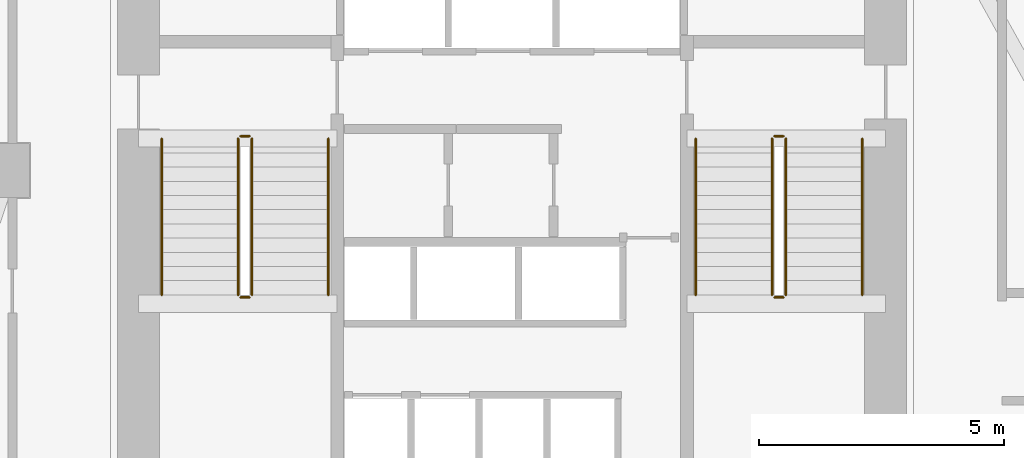
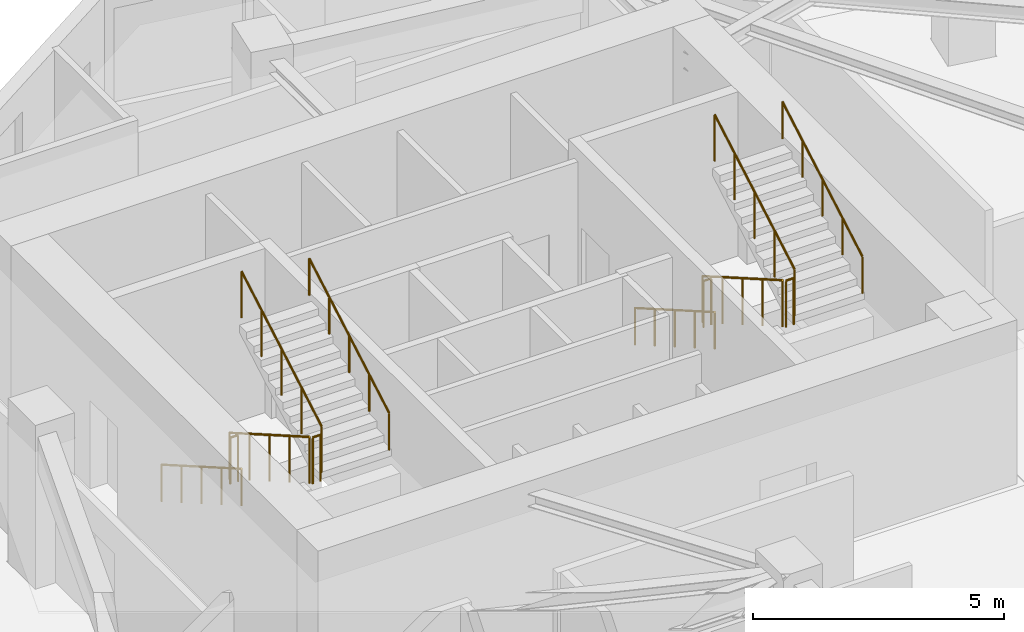
# One storey, part 11 of 11: 12 railings.
"""IFC4 building model written with IfcOpenShell, lengths in metres."""

import ifcopenshell
import ifcopenshell.guid

model = None  # the IFC model being written
_history = None  # IfcOwnerHistory: only IFC2X3 demands one
_inside = {}  # id of a spatial element -> (the spatial element, [elements in it])
_under = {}  # id of a project, library or spatial element -> (it, [spatial elements below it])
_declared = {}  # id of a project -> (the project, [libraries it declares])
_typed = {}  # id of a type object -> (the type object, [elements of that type])
_made_of = {}  # id of a material, layer set ... -> (it, [elements and type objects made of it])


def new_model(schema):
    """Start an empty IFC model of exactly this schema.

    Asked for "IFC4X3", IfcOpenShell would pick the latest addendum, in which some entities
    have other attributes; the version numbers below select the first issue.
    IFC2X3 requires an IfcOwnerHistory on every rooted entity: one is made here for all.
    """
    global model, _history
    if schema == "IFC4X3":
        model = ifcopenshell.file(schema_version=(4, 3, 0, 0))
    else:
        model = ifcopenshell.file(schema=schema)
    _inside.clear()
    _under.clear()
    _declared.clear()
    _typed.clear()
    _made_of.clear()
    _history = None
    if model.schema == "IFC2X3":
        org = make("IfcOrganization", Name="unknown")
        user = make(
            "IfcPersonAndOrganization",
            ThePerson=make("IfcPerson", FamilyName="unknown"),
            TheOrganization=org,
        )
        app = make(
            "IfcApplication",
            ApplicationDeveloper=org,
            Version="unknown",
            ApplicationFullName="unknown",
            ApplicationIdentifier="unknown",
        )
        _history = make(
            "IfcOwnerHistory",
            OwningUser=user,
            OwningApplication=app,
            ChangeAction="ADDED",
            CreationDate=0,
        )
    return model


def make(cls, **values):
    """One entity of the class cls with the attributes given. An attribute that is None is left unset."""
    return model.create_entity(
        cls, **{name: value for name, value in values.items() if value is not None}
    )


def rooted(cls, **values):
    """An entity with a GlobalId (a new one), such as an element, a storey or a relation."""
    return make(cls, GlobalId=ifcopenshell.guid.new(), OwnerHistory=_history, **values)


def si_unit(unit_type, name, prefix=None):
    """IfcSIUnit, for example si_unit("LENGTHUNIT", "METRE", prefix="MILLI")."""
    return make("IfcSIUnit", UnitType=unit_type, Prefix=prefix, Name=name)


def assignment(units):
    """IfcUnitAssignment: the units of a project."""
    return None if units is None else make("IfcUnitAssignment", Units=units)


def point(xyz):
    """IfcCartesianPoint."""
    return None if xyz is None else make("IfcCartesianPoint", Coordinates=xyz)


def direction(xyz):
    """IfcDirection."""
    return None if xyz is None else make("IfcDirection", DirectionRatios=xyz)


def frame(location, z_axis=None, x_axis=None):
    """IfcAxis2Placement3D, a coordinate frame: its origin and axes. An axis left out is left unset."""
    return make(
        "IfcAxis2Placement3D",
        Location=point(location),
        Axis=direction(z_axis),
        RefDirection=direction(x_axis),
    )


def frame_2d(location, x_axis=None):
    """IfcAxis2Placement2D, a coordinate frame in the plane: its origin and x axis."""
    return make(
        "IfcAxis2Placement2D", Location=point(location), RefDirection=direction(x_axis)
    )


def origin():
    """The frame at (0, 0, 0) with its axes left unset."""
    return frame((0.0, 0.0, 0.0))


def origin_2d():
    """The frame at (0, 0) in the plane with its x axis left unset."""
    return frame_2d((0.0, 0.0))


def place(relative_to, where):
    """IfcLocalPlacement: puts the frame where relative to a parent placement (None: the world)."""
    return make(
        "IfcLocalPlacement", PlacementRelTo=relative_to, RelativePlacement=where
    )


def context(
    kind, dimensions, precision=None, world=None, true_north=None, identifier=None
):
    """IfcGeometricRepresentationContext, for example the 3D "Model" context."""
    return make(
        "IfcGeometricRepresentationContext",
        ContextIdentifier=identifier,
        ContextType=kind,
        CoordinateSpaceDimension=dimensions,
        Precision=precision,
        WorldCoordinateSystem=world,
        TrueNorth=true_north,
    )


def subcontext(parent, identifier, kind, view, scale=None):
    """IfcGeometricRepresentationSubContext, for example "Body" below "Model"."""
    return make(
        "IfcGeometricRepresentationSubContext",
        ContextIdentifier=identifier,
        ContextType=kind,
        ParentContext=parent,
        TargetScale=scale,
        TargetView=view,
    )


def project(units=None, contexts=None):
    """IfcProject with its units and contexts."""
    return rooted(
        "IfcProject",
        Name="project",
        RepresentationContexts=contexts,
        UnitsInContext=assignment(units),
    )


def spatial(cls, under=None, at=None, **own):
    """A site, building, storey or space (cls), placed at a placement, below another one or the project."""
    s = rooted(cls, ObjectPlacement=at, **own)
    if under is not None:
        _under.setdefault(under.id(), (under, []))[1].append(s)
    return s


def profile(cls, at=None, kind="AREA", **sizes):
    """A parametric profile (cls). Its sizes go by their IFC names, for example OverallWidth=200.0."""
    return make(cls, ProfileType=kind, Position=at, **sizes)


def circle(**sizes):
    """IfcCircleProfileDef."""
    return profile("IfcCircleProfileDef", **sizes)


def extrude(swept, where, along, depth):
    """IfcExtrudedAreaSolid: the profile swept, set in the frame where, extruded along a direction by depth."""
    return make(
        "IfcExtrudedAreaSolid",
        SweptArea=swept,
        Position=where,
        ExtrudedDirection=direction(along),
        Depth=depth,
    )


def shape(context_of_items, identifier, shape_type, items):
    """IfcShapeRepresentation: the items that make up one representation, for example the "Body"."""
    return make(
        "IfcShapeRepresentation",
        ContextOfItems=context_of_items,
        RepresentationIdentifier=identifier,
        RepresentationType=shape_type,
        Items=items,
    )


def material(Name=None, Category=None):
    """IfcMaterial."""
    return make("IfcMaterial", Name=Name, Category=Category)


def made_of(thing, what):
    """Note that an element or type object is made of a material, layer set ...; save() writes the relation."""
    if what is not None:
        _made_of.setdefault(what.id(), (what, []))[1].append(thing)
    return thing


def type_object(cls, material=None, **own):
    """A type object (cls), such as IfcWallType, which elements share."""
    return made_of(rooted(cls, **own), material)


def element(
    cls,
    number,
    at=None,
    inside=None,
    cuts=None,
    type_object=None,
    material=None,
    context=None,
    identifier="Body",
    shape_type=None,
    held_by="IfcProductDefinitionShape",
    body=None,
    shapes=None,
    **own,
):
    """One element of the class cls, such as IfcWall. Its Tag is "e" and its number.

    at: its placement. inside: the storey or other place that contains it. cuts: it is an
    opening in that element (IfcRelVoidsElement). A single representation is given by context,
    identifier, shape_type and body (its items); several are given by shapes. held_by: the class
    of the entity that holds the representations. save() writes the other relations.
    """
    e = rooted(cls, Tag="e%d" % number, ObjectPlacement=at, **own)
    if body is not None:
        shapes = [shape(context, identifier, shape_type, body)]
    if shapes is not None:
        e.Representation = make(held_by, Representations=shapes)
    if inside is not None:
        _inside.setdefault(inside.id(), (inside, []))[1].append(e)
    if cuts is not None:
        rooted(
            "IfcRelVoidsElement", RelatingBuildingElement=cuts, RelatedOpeningElement=e
        )
    if type_object is not None:
        _typed.setdefault(type_object.id(), (type_object, []))[1].append(e)
    return made_of(e, material)


def aggregate(whole, parts):
    """IfcRelAggregates: a whole, such as a stair, and the parts it consists of."""
    return rooted("IfcRelAggregates", RelatingObject=whole, RelatedObjects=parts)


def save(model, path):
    """Write the relations noted so far, then the file.

    IfcRelAggregates (storeys below a building ...), IfcRelContainedInSpatialStructure (elements
    in a storey), IfcRelDefinesByType, IfcRelAssociatesMaterial and IfcRelDeclares: one each for
    every whole, place, type object, material and project.
    """
    for whole, parts in _under.values():
        aggregate(whole, parts)
    for where, things in _inside.values():
        rooted(
            "IfcRelContainedInSpatialStructure",
            RelatedElements=things,
            RelatingStructure=where,
        )
    for kind, things in _typed.values():
        rooted("IfcRelDefinesByType", RelatedObjects=things, RelatingType=kind)
    for what, things in _made_of.values():
        rooted("IfcRelAssociatesMaterial", RelatedObjects=things, RelatingMaterial=what)
    for by, libraries in _declared.values():
        rooted("IfcRelDeclares", RelatingContext=by, RelatedDefinitions=libraries)
    model.write(path)


model = new_model("IFC4")

# Units and contexts
model_context = context("Model", 3, precision=1e-05, world=origin(), true_north=direction((0.0, 1.0)))
body_context = subcontext(model_context, "Body", "Model", "MODEL_VIEW")
ifc_project = project(units=[si_unit("LENGTHUNIT", "METRE"), si_unit("AREAUNIT", "SQUARE_METRE"), si_unit("VOLUMEUNIT", "CUBIC_METRE"), si_unit("PLANEANGLEUNIT", "RADIAN"), si_unit("MASSUNIT", "GRAM", prefix="KILO")], contexts=[model_context])

# Site, building, storey
site_placement = place(None, origin())
site = spatial("IfcSite", under=ifc_project, at=site_placement, CompositionType="ELEMENT")
building_placement = place(site_placement, origin())
building = spatial("IfcBuilding", under=site, at=building_placement, Name="Calvemar Wedge Station Tower", CompositionType="ELEMENT")
storey_placement = place(building_placement, frame((0.0, 0.0, 59.0)))
storey = spatial("IfcBuildingStorey", under=building, at=storey_placement, Name="L14", CompositionType="ELEMENT", Elevation=59.0)

# Railings
ifc_material_1 = material(Name="Stainless steel AISI 316L", Category="steel")
railing_type_1 = type_object("IfcRailingType", Name="RL-HANDRAIL-920", PredefinedType="HANDRAIL", material=ifc_material_1)
railing_1_placement = place(storey_placement, frame((16.64990234375, 41.14990234375, 0.166748046875)))
element("IfcRailing", 1, at=railing_1_placement, inside=storey, type_object=railing_type_1, Name="L14 ST-C1 stair handrail 1", PredefinedType="HANDRAIL", context=body_context, shape_type="SweptSolid", body=[
    extrude(circle(Radius=0.02392578125, at=origin_2d()), frame((0.0, 0.0, 0.89599609375), z_axis=(0.0, -0.867019545617, 0.498274128887), x_axis=(1.0, 0.0, 0.0)), (0.0, 0.0, 1.0), 3.67919921875),
    extrude(circle(Radius=0.02099609375, at=origin_2d()), origin(), (0.0, 0.0, 1.0), 0.871826171875),
    extrude(circle(Radius=0.02099609375, at=origin_2d()), frame((0.0, -0.79736328125, 0.458251953125)), (0.0, 0.0, 1.0), 0.871826171875),
    extrude(circle(Radius=0.02099609375, at=origin_2d()), frame((0.0, -1.594970703125, 0.91650390625)), (0.0, 0.0, 1.0), 0.871826171875),
    extrude(circle(Radius=0.02099609375, at=origin_2d()), frame((0.0, -2.392578125, 1.375)), (0.0, 0.0, 1.0), 0.871826171875),
    extrude(circle(Radius=0.02099609375, at=origin_2d()), frame((0.0, -3.18994140625, 1.833251953125)), (0.0, 0.0, 1.0), 0.871826171875),
])
railing_2_placement = place(storey_placement, frame((20.050048828125, 37.9599609375, 2.166748046875)))
element("IfcRailing", 2, at=railing_2_placement, inside=storey, type_object=railing_type_1, Name="L14 ST-C1 stair handrail 2", PredefinedType="HANDRAIL", context=body_context, shape_type="SweptSolid", body=[
    extrude(circle(Radius=0.02392578125, at=origin_2d()), frame((0.0, 0.0, 0.89599609375), z_axis=(0.0, 0.867019545617, 0.498274128887), x_axis=(-1.0, 0.0, 0.0)), (0.0, 0.0, 1.0), 3.67919921875),
    extrude(circle(Radius=0.02099609375, at=origin_2d()), origin(), (0.0, 0.0, 1.0), 0.871826171875),
    extrude(circle(Radius=0.02099609375, at=origin_2d()), frame((0.0, 0.79736328125, 0.458251953125)), (0.0, 0.0, 1.0), 0.871826171875),
    extrude(circle(Radius=0.02099609375, at=origin_2d()), frame((0.0, 1.594970703125, 0.91650390625)), (0.0, 0.0, 1.0), 0.871826171875),
    extrude(circle(Radius=0.02099609375, at=origin_2d()), frame((0.0, 2.392578125, 1.375)), (0.0, 0.0, 1.0), 0.871826171875),
    extrude(circle(Radius=0.02099609375, at=origin_2d()), frame((0.0, 3.18994140625, 1.833251953125)), (0.0, 0.0, 1.0), 0.871826171875),
])
railing_3_placement = place(storey_placement, frame((27.550048828125, 41.14990234375, 0.166748046875)))
element("IfcRailing", 3, at=railing_3_placement, inside=storey, type_object=railing_type_1, Name="L14 ST-C2 stair handrail 1", PredefinedType="HANDRAIL", context=body_context, shape_type="SweptSolid", body=[
    extrude(circle(Radius=0.02392578125, at=origin_2d()), frame((0.0, 0.0, 0.89599609375), z_axis=(0.0, -0.867019545617, 0.498274128887), x_axis=(1.0, 0.0, 0.0)), (0.0, 0.0, 1.0), 3.67919921875),
    extrude(circle(Radius=0.02099609375, at=origin_2d()), origin(), (0.0, 0.0, 1.0), 0.871826171875),
    extrude(circle(Radius=0.02099609375, at=origin_2d()), frame((0.0, -0.79736328125, 0.458251953125)), (0.0, 0.0, 1.0), 0.871826171875),
    extrude(circle(Radius=0.02099609375, at=origin_2d()), frame((0.0, -1.594970703125, 0.91650390625)), (0.0, 0.0, 1.0), 0.871826171875),
    extrude(circle(Radius=0.02099609375, at=origin_2d()), frame((0.0, -2.392578125, 1.375)), (0.0, 0.0, 1.0), 0.871826171875),
    extrude(circle(Radius=0.02099609375, at=origin_2d()), frame((0.0, -3.18994140625, 1.833251953125)), (0.0, 0.0, 1.0), 0.871826171875),
])
railing_4_placement = place(storey_placement, frame((30.949951171875, 37.9599609375, 2.166748046875)))
element("IfcRailing", 4, at=railing_4_placement, inside=storey, type_object=railing_type_1, Name="L14 ST-C2 stair handrail 2", PredefinedType="HANDRAIL", context=body_context, shape_type="SweptSolid", body=[
    extrude(circle(Radius=0.02392578125, at=origin_2d()), frame((0.0, 0.0, 0.89599609375), z_axis=(0.0, 0.867019545617, 0.498274128887), x_axis=(-1.0, 0.0, 0.0)), (0.0, 0.0, 1.0), 3.67919921875),
    extrude(circle(Radius=0.02099609375, at=origin_2d()), origin(), (0.0, 0.0, 1.0), 0.871826171875),
    extrude(circle(Radius=0.02099609375, at=origin_2d()), frame((0.0, 0.79736328125, 0.458251953125)), (0.0, 0.0, 1.0), 0.871826171875),
    extrude(circle(Radius=0.02099609375, at=origin_2d()), frame((0.0, 1.594970703125, 0.91650390625)), (0.0, 0.0, 1.0), 0.871826171875),
    extrude(circle(Radius=0.02099609375, at=origin_2d()), frame((0.0, 2.392578125, 1.375)), (0.0, 0.0, 1.0), 0.871826171875),
    extrude(circle(Radius=0.02099609375, at=origin_2d()), frame((0.0, 3.18994140625, 1.833251953125)), (0.0, 0.0, 1.0), 0.871826171875),
])
ifc_material_2 = material(Name="Painted steel guardrail ASTM A500 Grade C", Category="steel")
railing_type_2 = type_object("IfcRailingType", Name="RL-STAIR-GUARD-1150", PredefinedType="GUARDRAIL", material=ifc_material_2)
railing_5_placement = place(storey_placement, frame((18.2099609375, 41.14990234375, 0.166748046875)))
element("IfcRailing", 5, at=railing_5_placement, inside=storey, type_object=railing_type_2, Name="L14 ST-C1 stair guard 1", PredefinedType="GUARDRAIL", context=body_context, shape_type="SweptSolid", body=[
    extrude(circle(Radius=0.02392578125, at=origin_2d()), frame((0.0, 0.0, 1.1259765625), z_axis=(0.0, -0.867019545617, 0.498274128887), x_axis=(1.0, 0.0, 0.0)), (0.0, 0.0, 1.0), 3.67919921875),
    extrude(circle(Radius=0.02099609375, at=origin_2d()), origin(), (0.0, 0.0, 1.0), 1.101806640625),
    extrude(circle(Radius=0.02099609375, at=origin_2d()), frame((0.0, -0.79736328125, 0.458251953125)), (0.0, 0.0, 1.0), 1.101806640625),
    extrude(circle(Radius=0.02099609375, at=origin_2d()), frame((0.0, -1.594970703125, 0.91650390625)), (0.0, 0.0, 1.0), 1.101806640625),
    extrude(circle(Radius=0.02099609375, at=origin_2d()), frame((0.0, -2.392578125, 1.375)), (0.0, 0.0, 1.0), 1.101806640625),
    extrude(circle(Radius=0.02099609375, at=origin_2d()), frame((0.0, -3.18994140625, 1.833251953125)), (0.0, 0.0, 1.0), 1.101806640625),
])
railing_6_placement = place(storey_placement, frame((18.260009765625, 37.909912109375, 2.0)))
element("IfcRailing", 6, at=railing_6_placement, inside=storey, type_object=railing_type_2, Name="L14 ST-C1 stair guard 2", PredefinedType="GUARDRAIL", context=body_context, shape_type="SweptSolid", body=[
    extrude(circle(Radius=0.02392578125, at=origin_2d()), frame((0.0, 0.0, 1.1259765625), z_axis=(1.0, 0.0, 0.0), x_axis=(0.0, 1.0, 0.0)), (0.0, 0.0, 1.0), 0.179931640625),
    extrude(circle(Radius=0.02099609375, at=origin_2d()), origin(), (0.0, 0.0, 1.0), 1.101806640625),
    extrude(circle(Radius=0.02099609375, at=origin_2d()), frame((0.179931640625, 0.0, 0.0)), (0.0, 0.0, 1.0), 1.101806640625),
])
railing_7_placement = place(storey_placement, frame((18.489990234375, 37.9599609375, 2.166748046875)))
element("IfcRailing", 7, at=railing_7_placement, inside=storey, type_object=railing_type_2, Name="L14 ST-C1 stair guard 3", PredefinedType="GUARDRAIL", context=body_context, shape_type="SweptSolid", body=[
    extrude(circle(Radius=0.02392578125, at=origin_2d()), frame((0.0, 0.0, 1.1259765625), z_axis=(0.0, 0.867019545617, 0.498274128887), x_axis=(-1.0, 0.0, 0.0)), (0.0, 0.0, 1.0), 3.67919921875),
    extrude(circle(Radius=0.02099609375, at=origin_2d()), origin(), (0.0, 0.0, 1.0), 1.101806640625),
    extrude(circle(Radius=0.02099609375, at=origin_2d()), frame((0.0, 0.79736328125, 0.458251953125)), (0.0, 0.0, 1.0), 1.101806640625),
    extrude(circle(Radius=0.02099609375, at=origin_2d()), frame((0.0, 1.594970703125, 0.91650390625)), (0.0, 0.0, 1.0), 1.101806640625),
    extrude(circle(Radius=0.02099609375, at=origin_2d()), frame((0.0, 2.392578125, 1.375)), (0.0, 0.0, 1.0), 1.101806640625),
    extrude(circle(Radius=0.02099609375, at=origin_2d()), frame((0.0, 3.18994140625, 1.833251953125)), (0.0, 0.0, 1.0), 1.101806640625),
])
railing_8_placement = place(storey_placement, frame((18.260009765625, 41.199951171875, 0.0)))
element("IfcRailing", 8, at=railing_8_placement, inside=storey, type_object=railing_type_2, Name="L14 ST-C1 stair guard 4", PredefinedType="GUARDRAIL", context=body_context, shape_type="SweptSolid", body=[
    extrude(circle(Radius=0.02392578125, at=origin_2d()), frame((0.0, 0.0, 1.1259765625), z_axis=(1.0, 0.0, 0.0), x_axis=(0.0, 1.0, 0.0)), (0.0, 0.0, 1.0), 0.179931640625),
    extrude(circle(Radius=0.02099609375, at=origin_2d()), origin(), (0.0, 0.0, 1.0), 1.101806640625),
    extrude(circle(Radius=0.02099609375, at=origin_2d()), frame((0.179931640625, 0.0, 0.0)), (0.0, 0.0, 1.0), 1.101806640625),
])
railing_9_placement = place(storey_placement, frame((29.110107421875, 41.14990234375, 0.166748046875)))
element("IfcRailing", 9, at=railing_9_placement, inside=storey, type_object=railing_type_2, Name="L14 ST-C2 stair guard 1", PredefinedType="GUARDRAIL", context=body_context, shape_type="SweptSolid", body=[
    extrude(circle(Radius=0.02392578125, at=origin_2d()), frame((0.0, 0.0, 1.1259765625), z_axis=(0.0, -0.867019545617, 0.498274128887), x_axis=(1.0, 0.0, 0.0)), (0.0, 0.0, 1.0), 3.67919921875),
    extrude(circle(Radius=0.02099609375, at=origin_2d()), origin(), (0.0, 0.0, 1.0), 1.101806640625),
    extrude(circle(Radius=0.02099609375, at=origin_2d()), frame((0.0, -0.79736328125, 0.458251953125)), (0.0, 0.0, 1.0), 1.101806640625),
    extrude(circle(Radius=0.02099609375, at=origin_2d()), frame((0.0, -1.594970703125, 0.91650390625)), (0.0, 0.0, 1.0), 1.101806640625),
    extrude(circle(Radius=0.02099609375, at=origin_2d()), frame((0.0, -2.392578125, 1.375)), (0.0, 0.0, 1.0), 1.101806640625),
    extrude(circle(Radius=0.02099609375, at=origin_2d()), frame((0.0, -3.18994140625, 1.833251953125)), (0.0, 0.0, 1.0), 1.101806640625),
])
railing_10_placement = place(storey_placement, frame((29.159912109375, 37.909912109375, 2.0)))
element("IfcRailing", 10, at=railing_10_placement, inside=storey, type_object=railing_type_2, Name="L14 ST-C2 stair guard 2", PredefinedType="GUARDRAIL", context=body_context, shape_type="SweptSolid", body=[
    extrude(circle(Radius=0.02392578125, at=origin_2d()), frame((0.0, 0.0, 1.1259765625), z_axis=(1.0, 0.0, 0.0), x_axis=(0.0, 1.0, 0.0)), (0.0, 0.0, 1.0), 0.18017578125),
    extrude(circle(Radius=0.02099609375, at=origin_2d()), origin(), (0.0, 0.0, 1.0), 1.101806640625),
    extrude(circle(Radius=0.02099609375, at=origin_2d()), frame((0.18017578125, 0.0, 0.0)), (0.0, 0.0, 1.0), 1.101806640625),
])
railing_11_placement = place(storey_placement, frame((29.389892578125, 37.9599609375, 2.166748046875)))
element("IfcRailing", 11, at=railing_11_placement, inside=storey, type_object=railing_type_2, Name="L14 ST-C2 stair guard 3", PredefinedType="GUARDRAIL", context=body_context, shape_type="SweptSolid", body=[
    extrude(circle(Radius=0.02392578125, at=origin_2d()), frame((0.0, 0.0, 1.1259765625), z_axis=(0.0, 0.867019545617, 0.498274128887), x_axis=(-1.0, 0.0, 0.0)), (0.0, 0.0, 1.0), 3.67919921875),
    extrude(circle(Radius=0.02099609375, at=origin_2d()), origin(), (0.0, 0.0, 1.0), 1.101806640625),
    extrude(circle(Radius=0.02099609375, at=origin_2d()), frame((0.0, 0.79736328125, 0.458251953125)), (0.0, 0.0, 1.0), 1.101806640625),
    extrude(circle(Radius=0.02099609375, at=origin_2d()), frame((0.0, 1.594970703125, 0.91650390625)), (0.0, 0.0, 1.0), 1.101806640625),
    extrude(circle(Radius=0.02099609375, at=origin_2d()), frame((0.0, 2.392578125, 1.375)), (0.0, 0.0, 1.0), 1.101806640625),
    extrude(circle(Radius=0.02099609375, at=origin_2d()), frame((0.0, 3.18994140625, 1.833251953125)), (0.0, 0.0, 1.0), 1.101806640625),
])
railing_12_placement = place(storey_placement, frame((29.159912109375, 41.199951171875, 0.0)))
element("IfcRailing", 12, at=railing_12_placement, inside=storey, type_object=railing_type_2, Name="L14 ST-C2 stair guard 4", PredefinedType="GUARDRAIL", context=body_context, shape_type="SweptSolid", body=[
    extrude(circle(Radius=0.02392578125, at=origin_2d()), frame((0.0, 0.0, 1.1259765625), z_axis=(1.0, 0.0, 0.0), x_axis=(0.0, 1.0, 0.0)), (0.0, 0.0, 1.0), 0.18017578125),
    extrude(circle(Radius=0.02099609375, at=origin_2d()), origin(), (0.0, 0.0, 1.0), 1.101806640625),
    extrude(circle(Radius=0.02099609375, at=origin_2d()), frame((0.18017578125, 0.0, 0.0)), (0.0, 0.0, 1.0), 1.101806640625),
])

save(model, "model.ifc")
